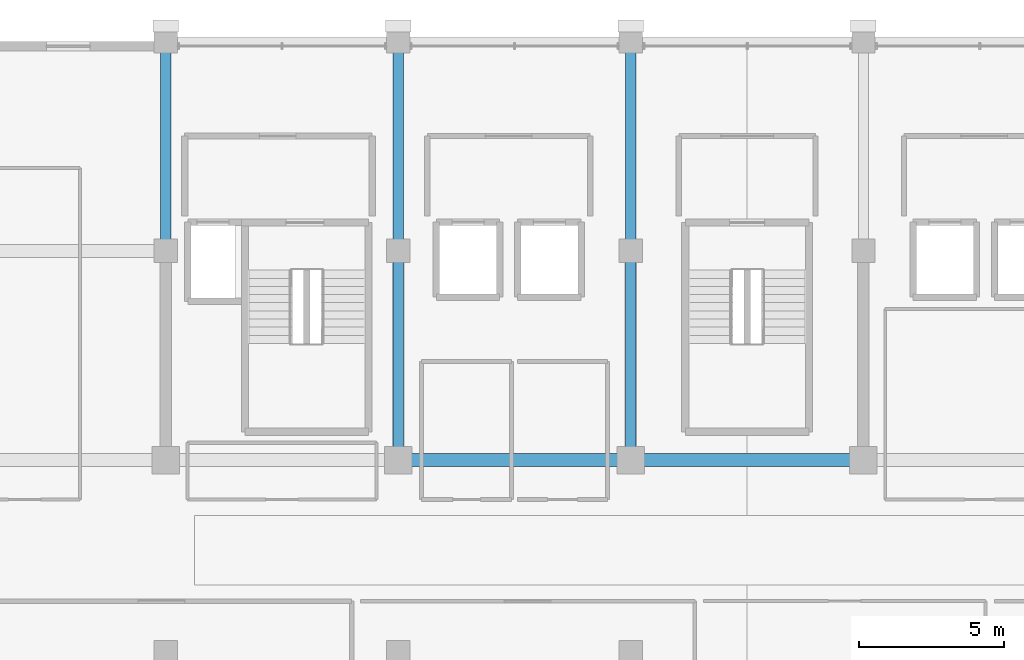
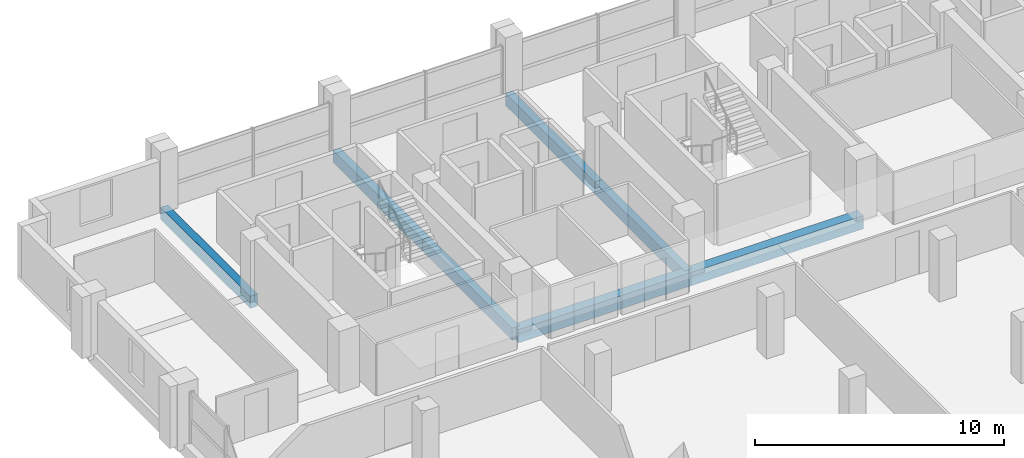
# One storey, part 12 of 23: 7 beams.
"""IFC4 building model written with IfcOpenShell, lengths in metres."""

from ifc_helpers import new_model, si_unit, direction, frame, origin, origin_2d, place, context, subcontext, project, spatial, rectangle, extrude, material, material_profile, profile_set, type_object, element, save


model = new_model("IFC4")

# Units and contexts
model_context = context("Model", 3, precision=1e-05, world=origin(), true_north=direction((0.0, 1.0)))
body_context = subcontext(model_context, "Body", "Model", "MODEL_VIEW")
ifc_project = project(units=[si_unit("LENGTHUNIT", "METRE"), si_unit("AREAUNIT", "SQUARE_METRE"), si_unit("VOLUMEUNIT", "CUBIC_METRE"), si_unit("PLANEANGLEUNIT", "RADIAN"), si_unit("MASSUNIT", "GRAM", prefix="KILO")], contexts=[model_context])

# Site, building, storey
site_placement = place(None, origin())
site = spatial("IfcSite", under=ifc_project, at=site_placement, CompositionType="ELEMENT")
building_placement = place(site_placement, origin())
building = spatial("IfcBuilding", under=site, at=building_placement, Name="Akrevak Sports Hall", CompositionType="ELEMENT")
storey_placement = place(building_placement, frame((0.0, 0.0, 47.050048828125)))
storey = spatial("IfcBuildingStorey", under=building, at=storey_placement, Name="L11", CompositionType="ELEMENT", Elevation=47.050048828125)

# Beams
ifc_material = material(Name="Concrete C40/50", Category="concrete")
ifc_material_profile_1 = material_profile(ifc_material, rectangle(XDim=0.35009765625, YDim=0.60009765625, at=origin_2d()), Name="BM 350x600", Category="concrete")
ifc_profile_set_1 = profile_set([ifc_material_profile_1], Name="Concrete C40/50")
beam_type_1 = type_object("IfcBeamType", Name="STR-BM-RC350x600", PredefinedType="BEAM", material=ifc_profile_set_1)
beam_1_placement = place(storey_placement, frame((60.0, 62.39990234375, -0.300048828125), z_axis=(0.0, 1.0, 0.0), x_axis=(-1.0, 0.0, 0.0)))
element("IfcBeam", 1, at=beam_1_placement, inside=storey, type_object=beam_type_1, Name="Girder 9/J-K (L11)", PredefinedType="BEAM", context=body_context, shape_type="SweptSolid", body=[
    extrude(rectangle(XDim=0.35009765625, YDim=0.60009765625, at=origin_2d()), origin(), (0.0, 0.0, 1.0), 7.2001953125),
])
beam_2_placement = place(storey_placement, frame((68.0, 55.199951171875, -0.300048828125), z_axis=(0.0, 1.0, 0.0), x_axis=(-1.0, 0.0, 0.0)))
element("IfcBeam", 2, at=beam_2_placement, inside=storey, type_object=beam_type_1, Name="Girder 10/I-J (L11)", PredefinedType="BEAM", context=body_context, shape_type="SweptSolid", body=[
    extrude(rectangle(XDim=0.35009765625, YDim=0.60009765625, at=origin_2d()), origin(), (0.0, 0.0, 1.0), 7.199951171875),
])
beam_3_placement = place(storey_placement, frame((68.0, 62.39990234375, -0.300048828125), z_axis=(0.0, 1.0, 0.0), x_axis=(-1.0, 0.0, 0.0)))
element("IfcBeam", 3, at=beam_3_placement, inside=storey, type_object=beam_type_1, Name="Girder 10/J-K (L11)", PredefinedType="BEAM", context=body_context, shape_type="SweptSolid", body=[
    extrude(rectangle(XDim=0.35009765625, YDim=0.60009765625, at=origin_2d()), origin(), (0.0, 0.0, 1.0), 7.2001953125),
])
beam_4_placement = place(storey_placement, frame((76.0, 55.199951171875, -0.300048828125), z_axis=(0.0, 1.0, 0.0), x_axis=(-1.0, 0.0, 0.0)))
element("IfcBeam", 4, at=beam_4_placement, inside=storey, type_object=beam_type_1, Name="Girder 11/I-J (L11)", PredefinedType="BEAM", context=body_context, shape_type="SweptSolid", body=[
    extrude(rectangle(XDim=0.35009765625, YDim=0.60009765625, at=origin_2d()), origin(), (0.0, 0.0, 1.0), 7.199951171875),
])
beam_5_placement = place(storey_placement, frame((76.0, 62.39990234375, -0.300048828125), z_axis=(0.0, 1.0, 0.0), x_axis=(-1.0, 0.0, 0.0)))
element("IfcBeam", 5, at=beam_5_placement, inside=storey, type_object=beam_type_1, Name="Girder 11/J-K (L11)", PredefinedType="BEAM", context=body_context, shape_type="SweptSolid", body=[
    extrude(rectangle(XDim=0.35009765625, YDim=0.60009765625, at=origin_2d()), origin(), (0.0, 0.0, 1.0), 7.2001953125),
])
ifc_material_profile_2 = material_profile(ifc_material, rectangle(XDim=0.449951171875, YDim=0.64990234375, at=origin_2d()), Name="BM 450x650", Category="concrete")
ifc_profile_set_2 = profile_set([ifc_material_profile_2], Name="Concrete C40/50")
beam_type_2 = type_object("IfcBeamType", Name="STR-BM-RC450x650", PredefinedType="BEAM", material=ifc_profile_set_2)
for number, where, z_axis, x_axis, name in (
    (6, (68.0, 55.199951171875, -0.324951171875), (1.0, 0.0, 0.0), (0.0, 1.0, 0.0), "Girder I/10-11 (L11)"),
    (7, (76.0, 55.199951171875, -0.324951171875), (1.0, 0.0, 0.0), (0.0, 1.0, 0.0), "Girder I/11-12 (L11)"),
):
    element("IfcBeam", number, at=place(storey_placement, frame(where, z_axis=z_axis, x_axis=x_axis)), inside=storey, type_object=beam_type_2, Name=name, PredefinedType="BEAM", context=body_context, shape_type="SweptSolid", body=[
        extrude(rectangle(XDim=0.449951171875, YDim=0.64990234375, at=origin_2d()), origin(), (0.0, 0.0, 1.0), 8.0),
    ])

save(model, "model.ifc")
